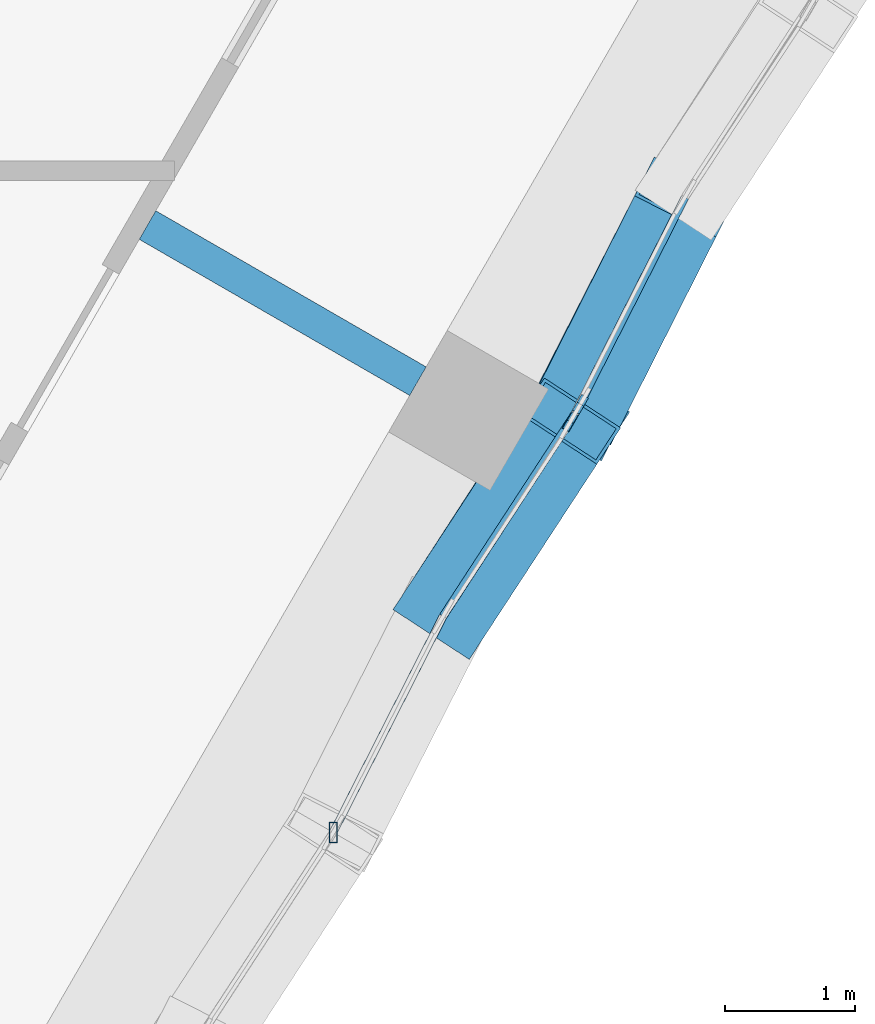
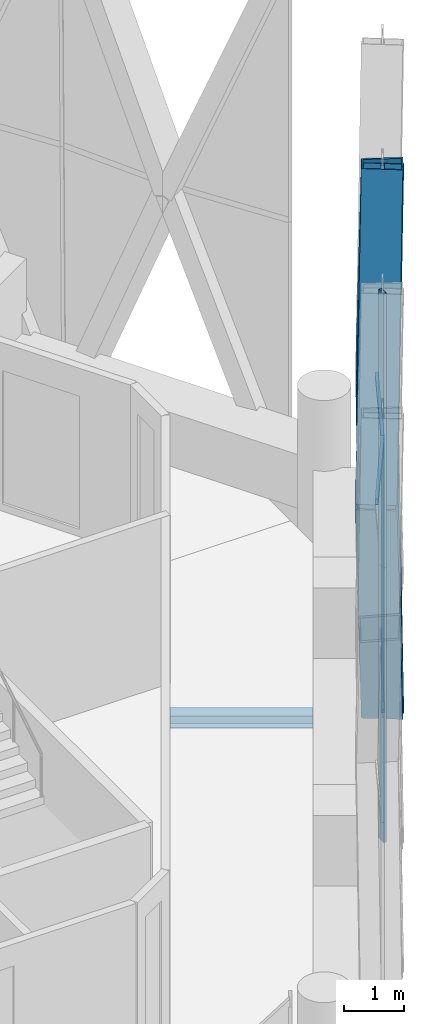
# One storey, part 7 of 22: 11 members, 1 beam, 2 elements without a shape of their own.
"""IFC4 building model written with IfcOpenShell, lengths in metres."""

from ifc_helpers import new_model, si_unit, direction, frame, origin, origin_2d, place, context, subcontext, project, spatial, hollow_rectangle, i_section, extrude, material, material_profile, profile_set, type_object, element, aggregate, save


model = new_model("IFC4")

# Units and contexts
model_context = context("Model", 3, precision=1e-05, world=origin(), true_north=direction((0.0, 1.0)))
body_context = subcontext(model_context, "Body", "Model", "MODEL_VIEW")
ifc_project = project(units=[si_unit("LENGTHUNIT", "METRE"), si_unit("AREAUNIT", "SQUARE_METRE"), si_unit("VOLUMEUNIT", "CUBIC_METRE"), si_unit("PLANEANGLEUNIT", "RADIAN"), si_unit("MASSUNIT", "GRAM", prefix="KILO")], contexts=[model_context])

# Site, building, storey
site_placement = place(None, origin())
site = spatial("IfcSite", under=ifc_project, at=site_placement, CompositionType="ELEMENT")
building_placement = place(site_placement, origin())
building = spatial("IfcBuilding", under=site, at=building_placement, Name="Ostrander Bayou Hotel Tower", CompositionType="ELEMENT")
storey_placement = place(building_placement, frame((0.0, 0.0, 245.0)))
storey = spatial("IfcBuildingStorey", under=building, at=storey_placement, Name="L60", CompositionType="ELEMENT", Elevation=245.0)

# Curtain wall, members
ifc_material_1 = material(Name="Aluminium and clear glass", Category="aluminium")
curtain_wall_type = type_object("IfcCurtainWallType", Name="CW-LAT lattice glazing", PredefinedType="NOTDEFINED", material=ifc_material_1)
curtain_wall_1_placement = place(storey_placement, origin())
curtain_wall_1 = element("IfcCurtainWall", 1, at=curtain_wall_1_placement, inside=storey, type_object=curtain_wall_type, Name="CW-LAT L60 SE 1", PredefinedType="NOTDEFINED")
ifc_material_2 = material(Name="Aluminium", Category="aluminium")
ifc_material_profile_1 = material_profile(ifc_material_2, hollow_rectangle(XDim=0.06005859375, YDim=0.159912109375, WallThickness=0.00390625, at=origin_2d()))
ifc_profile_set_1 = profile_set([ifc_material_profile_1], Name="Aluminium")
member_type_1 = type_object("IfcMemberType", Name="CW-LA mullion 60 x 160 mm", PredefinedType="MULLION", material=ifc_profile_set_1)
member_1_placement = place(storey_placement, frame((15.216064453125, -8.784912109375, -0.60009765625), z_axis=(0.0, 0.0, 1.0), x_axis=(1.0, 0.0, 0.0)))
member_1 = element("IfcMember", 2, at=member_1_placement, type_object=member_type_1, Name="CW-LAT mullion 8", PredefinedType="MULLION", context=body_context, shape_type="SweptSolid", body=[
    extrude(hollow_rectangle(XDim=0.06005859375, YDim=0.159912109375, WallThickness=0.00390625, at=origin_2d()), origin(), (0.0, 0.0, 1.0), 5.625),
])
member_2_placement = place(storey_placement, frame((15.216064453125, -8.784912109375, 5.02490234375), z_axis=(0.0, 0.0, 1.0), x_axis=(1.0, 0.0, 0.0)))
member_2 = element("IfcMember", 3, at=member_2_placement, type_object=member_type_1, Name="CW-LAT mullion 9", PredefinedType="MULLION", context=body_context, shape_type="SweptSolid", body=[
    extrude(hollow_rectangle(XDim=0.06005859375, YDim=0.159912109375, WallThickness=0.00390625, at=origin_2d()), origin(), (0.0, 0.0, 1.0), 5.625),
])
member_3_placement = place(storey_placement, frame((17.112060546875, -5.5009765625, -0.60009765625), z_axis=(-0.00629290177, -0.010936629283, 0.999920391595), x_axis=(0.866757633554, -0.498729590736, 0.0)))
member_3 = element("IfcMember", 4, at=member_3_placement, type_object=member_type_1, Name="CW-LAT mullion 12", PredefinedType="MULLION", context=body_context, shape_type="SweptSolid", body=[
    extrude(hollow_rectangle(XDim=0.06005859375, YDim=0.159912109375, WallThickness=0.00390625, at=origin_2d()), origin(), (0.0, 0.0, 1.0), 5.62548828125),
])
member_4_placement = place(storey_placement, frame((17.07666015625, -5.5625, 5.02490234375), z_axis=(-0.006292904751, -0.010893235121, 0.999920865258), x_axis=(0.865898279276, -0.500220121494, 0.0)))
member_4 = element("IfcMember", 5, at=member_4_placement, type_object=member_type_1, Name="CW-LAT mullion 13", PredefinedType="MULLION", context=body_context, shape_type="SweptSolid", body=[
    extrude(hollow_rectangle(XDim=0.06005859375, YDim=0.159912109375, WallThickness=0.00390625, at=origin_2d()), origin(), (0.0, 0.0, 1.0), 5.62548828125),
])
aggregate(curtain_wall_1, [member_1, member_2, member_3, member_4])

curtain_wall_2_placement = place(storey_placement, origin())
curtain_wall_2 = element("IfcCurtainWall", 6, at=curtain_wall_2_placement, inside=storey, type_object=curtain_wall_type, Name="CW-LAT L60 SE 2", PredefinedType="NOTDEFINED")
ifc_material_3 = material(Name="Aluminium", Category="aluminium")
ifc_material_profile_2 = material_profile(ifc_material_3, hollow_rectangle(XDim=0.06005859375, YDim=0.1201171875, WallThickness=0.00390625, at=origin_2d()))
ifc_profile_set_2 = profile_set([ifc_material_profile_2], Name="Aluminium")
member_type_2 = type_object("IfcMemberType", Name="CW-LA transom 60 x 120 mm", PredefinedType="USERDEFINED", material=ifc_profile_set_2)
member_5_placement = place(storey_placement, frame((15.216064453125, -8.784912109375, 5.02490234375), z_axis=(0.453126671976, 0.891446139228, 0.0), x_axis=(-0.891446139228, 0.453126671976, 0.0)))
member_5 = element("IfcMember", 7, at=member_5_placement, type_object=member_type_2, Name="CW-LAT transom 11", ObjectType="TRANSOM", PredefinedType="USERDEFINED", context=body_context, shape_type="SweptSolid", body=[
    extrude(hollow_rectangle(XDim=0.06005859375, YDim=0.1201171875, WallThickness=0.00390625, at=origin_2d()), origin(), (0.0, 0.0, 1.0), 1.863037109375),
])
member_6_placement = place(storey_placement, frame((17.07666015625, -5.5625, 5.02490234375), z_axis=(-0.545504102111, -0.838108152078, 0.0), x_axis=(0.838108152078, -0.545504102111, 0.0)))
member_6 = element("IfcMember", 8, at=member_6_placement, type_object=member_type_2, Name="CW-LAT transom 14", ObjectType="TRANSOM", PredefinedType="USERDEFINED", context=body_context, shape_type="SweptSolid", body=[
    extrude(hollow_rectangle(XDim=0.06005859375, YDim=0.1201171875, WallThickness=0.00390625, at=origin_2d()), origin(), (0.0, 0.0, 1.0), 1.863037109375),
])
member_7_placement = place(storey_placement, frame((17.07666015625, -5.5625, 5.02490234375), z_axis=(0.453073746448, 0.89147303957, 0.0), x_axis=(-0.89147303957, 0.453073746448, 0.0)))
member_7 = element("IfcMember", 9, at=member_7_placement, type_object=member_type_2, Name="CW-LAT transom 15", ObjectType="TRANSOM", PredefinedType="USERDEFINED", context=body_context, shape_type="SweptSolid", body=[
    extrude(hollow_rectangle(XDim=0.06005859375, YDim=0.1201171875, WallThickness=0.00390625, at=origin_2d()), origin(), (0.0, 0.0, 1.0), 1.86328125),
])
aggregate(curtain_wall_2, [member_5, member_6, member_7])

# Beam
ifc_material_4 = material(Name="Steel ASTM A992", Category="steel")
ifc_material_profile_3 = material_profile(ifc_material_4, i_section(OverallWidth=0.25390625, OverallDepth=0.25341796875, WebThickness=0.008544921875, FlangeThickness=0.01416015625, at=origin_2d()))
ifc_profile_set_3 = profile_set([ifc_material_profile_3], Name="Steel ASTM A992")
beam_type = type_object("IfcBeamType", Name="LB2 loggia bracket W10x49", PredefinedType="BEAM", material=ifc_profile_set_3)
beam_placement = place(storey_placement, frame((15.867431640625, -5.316650390625, -0.4267578125), z_axis=(-0.866024647952, 0.500001309137, 0.0), x_axis=(-0.500001309137, -0.866024647952, 0.0)))
element("IfcBeam", 10, at=beam_placement, inside=storey, type_object=beam_type, Name="LB2 L60 SE2", PredefinedType="BEAM", context=body_context, shape_type="SweptSolid", body=[
    extrude(i_section(OverallWidth=0.25390625, OverallDepth=0.25341796875, WebThickness=0.008544921875, FlangeThickness=0.01416015625, at=origin_2d()), origin(), (0.0, 0.0, 1.0), 2.39990234375),
])

# Members
ifc_material_5 = material(Name="Steel ASTM A572 Gr 50", Category="steel")
ifc_material_profile_4 = material_profile(ifc_material_5, hollow_rectangle(XDim=0.699951171875, YDim=0.35009765625, WallThickness=0.02490234375, at=origin_2d()))
ifc_profile_set_4 = profile_set([ifc_material_profile_4], Name="Steel ASTM A572 Gr 50")
member_type_3 = type_object("IfcMemberType", Name="LT1 lattice member box 700 x 350 x 25 mm", PredefinedType="BRACE", material=ifc_profile_set_4)
member_8_placement = place(storey_placement, frame((16.060302734375, -7.1240234375, 5.02490234375), z_axis=(0.176819467009, 0.272863467195, -0.94566400183), x_axis=(-0.839204195892, 0.54381643741, 0.0)))
element("IfcMember", 11, at=member_8_placement, inside=storey, type_object=member_type_3, Name="LT1 L60 SE 11", PredefinedType="BRACE", context=body_context, shape_type="SweptSolid", body=[
    extrude(hollow_rectangle(XDim=0.699951171875, YDim=0.35009765625, WallThickness=0.02490234375, at=origin_2d()), origin(), (0.0, 0.0, 1.0), 5.9482421875),
])
for number, where, z_axis, x_axis, name in (
    (12, (16.060302734375, -7.1240234375, 5.02490234375), (0.166159795937, 0.254119448988, 0.952792856743), (-0.836962415651, 0.547260372024, 0.0), "LT1 L60 SE 12"),
    (13, (17.9208984375, -3.9013671875, 5.02490234375), (-0.137005406206, -0.270950625253, -0.952793407484), (0.892402299809, -0.451240662281, 0.0), "LT1 L60 SE 13"),
):
    element("IfcMember", number, at=place(storey_placement, frame(where, z_axis=z_axis, x_axis=x_axis)), inside=storey, type_object=member_type_3, Name=name, PredefinedType="BRACE", context=body_context, shape_type="SweptSolid", body=[
        extrude(hollow_rectangle(XDim=0.699951171875, YDim=0.35009765625, WallThickness=0.02490234375, at=origin_2d()), origin(), (0.0, 0.0, 1.0), 5.90380859375),
    ])
member_9_placement = place(storey_placement, frame((17.9208984375, -3.9013671875, 5.02490234375), z_axis=(-0.147883150311, -0.2895685888, 0.945664108568), x_axis=(0.890582419243, -0.454821893201, 0.0)))
element("IfcMember", 14, at=member_9_placement, inside=storey, type_object=member_type_3, Name="LT1 L60 SE 14", PredefinedType="BRACE", context=body_context, shape_type="SweptSolid", body=[
    extrude(hollow_rectangle(XDim=0.699951171875, YDim=0.35009765625, WallThickness=0.02490234375, at=origin_2d()), origin(), (0.0, 0.0, 1.0), 5.9482421875),
])

save(model, "model.ifc")
